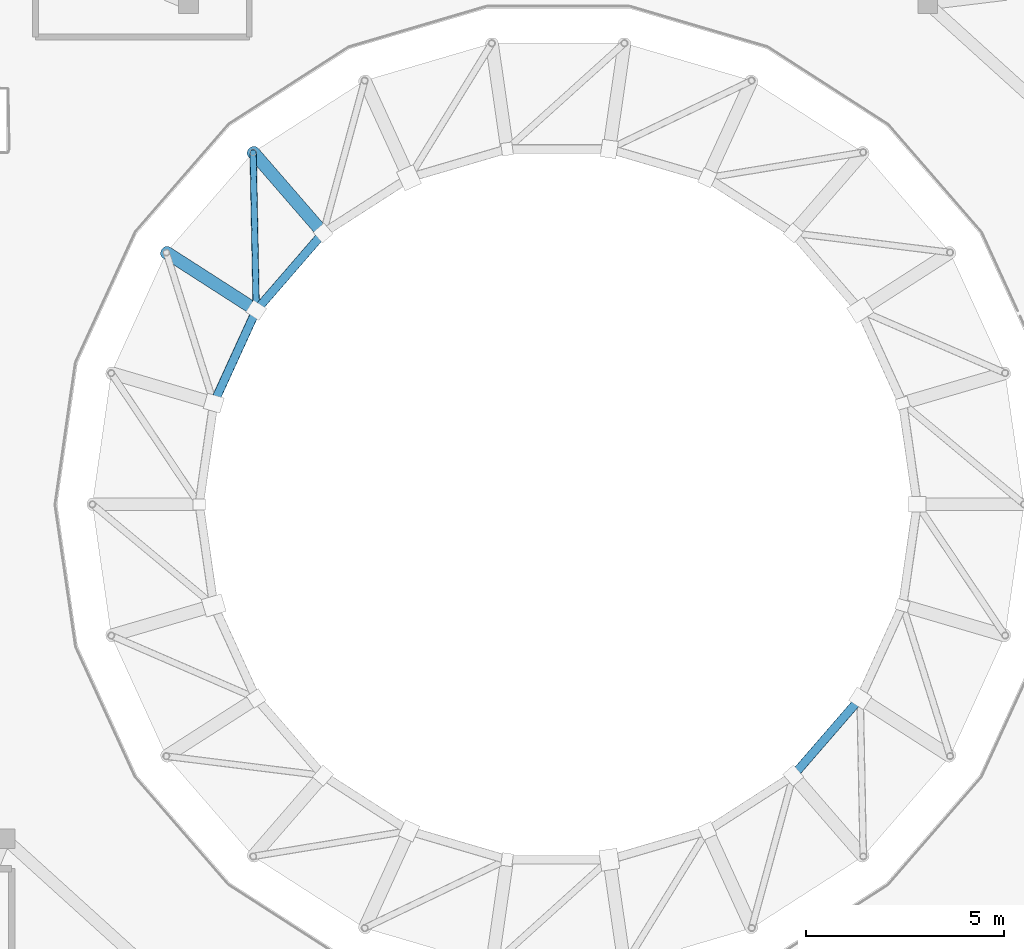
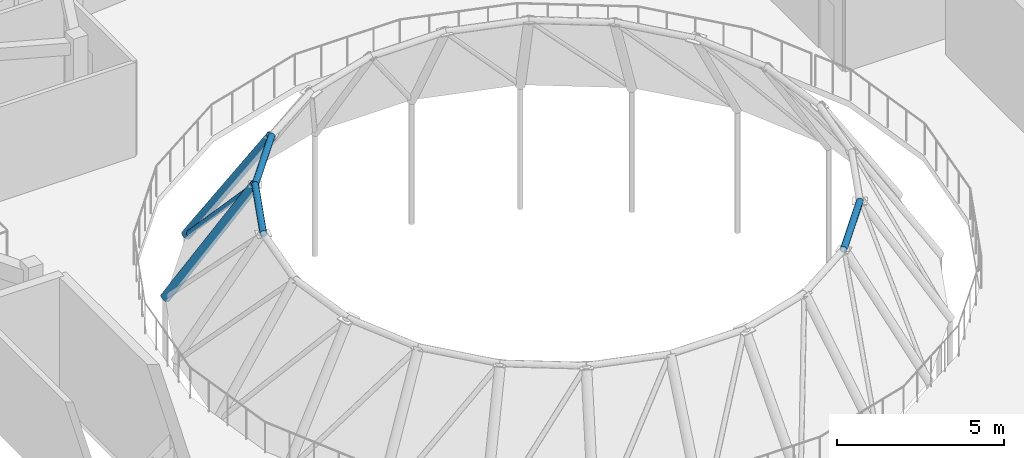
# One storey, part 12 of 38: 5 beams, 1 member.
"""IFC4 building model written with IfcOpenShell, lengths in metres."""

import ifcopenshell
import ifcopenshell.guid

model = None  # the IFC model being written
_history = None  # IfcOwnerHistory: only IFC2X3 demands one
_inside = {}  # id of a spatial element -> (the spatial element, [elements in it])
_under = {}  # id of a project, library or spatial element -> (it, [spatial elements below it])
_declared = {}  # id of a project -> (the project, [libraries it declares])
_typed = {}  # id of a type object -> (the type object, [elements of that type])
_made_of = {}  # id of a material, layer set ... -> (it, [elements and type objects made of it])


def new_model(schema):
    """Start an empty IFC model of exactly this schema.

    Asked for "IFC4X3", IfcOpenShell would pick the latest addendum, in which some entities
    have other attributes; the version numbers below select the first issue.
    IFC2X3 requires an IfcOwnerHistory on every rooted entity: one is made here for all.
    """
    global model, _history
    if schema == "IFC4X3":
        model = ifcopenshell.file(schema_version=(4, 3, 0, 0))
    else:
        model = ifcopenshell.file(schema=schema)
    _inside.clear()
    _under.clear()
    _declared.clear()
    _typed.clear()
    _made_of.clear()
    _history = None
    if model.schema == "IFC2X3":
        org = make("IfcOrganization", Name="unknown")
        user = make(
            "IfcPersonAndOrganization",
            ThePerson=make("IfcPerson", FamilyName="unknown"),
            TheOrganization=org,
        )
        app = make(
            "IfcApplication",
            ApplicationDeveloper=org,
            Version="unknown",
            ApplicationFullName="unknown",
            ApplicationIdentifier="unknown",
        )
        _history = make(
            "IfcOwnerHistory",
            OwningUser=user,
            OwningApplication=app,
            ChangeAction="ADDED",
            CreationDate=0,
        )
    return model


def make(cls, **values):
    """One entity of the class cls with the attributes given. An attribute that is None is left unset."""
    return model.create_entity(
        cls, **{name: value for name, value in values.items() if value is not None}
    )


def rooted(cls, **values):
    """An entity with a GlobalId (a new one), such as an element, a storey or a relation."""
    return make(cls, GlobalId=ifcopenshell.guid.new(), OwnerHistory=_history, **values)


def si_unit(unit_type, name, prefix=None):
    """IfcSIUnit, for example si_unit("LENGTHUNIT", "METRE", prefix="MILLI")."""
    return make("IfcSIUnit", UnitType=unit_type, Prefix=prefix, Name=name)


def assignment(units):
    """IfcUnitAssignment: the units of a project."""
    return None if units is None else make("IfcUnitAssignment", Units=units)


def point(xyz):
    """IfcCartesianPoint."""
    return None if xyz is None else make("IfcCartesianPoint", Coordinates=xyz)


def direction(xyz):
    """IfcDirection."""
    return None if xyz is None else make("IfcDirection", DirectionRatios=xyz)


def frame(location, z_axis=None, x_axis=None):
    """IfcAxis2Placement3D, a coordinate frame: its origin and axes. An axis left out is left unset."""
    return make(
        "IfcAxis2Placement3D",
        Location=point(location),
        Axis=direction(z_axis),
        RefDirection=direction(x_axis),
    )


def frame_2d(location, x_axis=None):
    """IfcAxis2Placement2D, a coordinate frame in the plane: its origin and x axis."""
    return make(
        "IfcAxis2Placement2D", Location=point(location), RefDirection=direction(x_axis)
    )


def origin():
    """The frame at (0, 0, 0) with its axes left unset."""
    return frame((0.0, 0.0, 0.0))


def origin_2d():
    """The frame at (0, 0) in the plane with its x axis left unset."""
    return frame_2d((0.0, 0.0))


def place(relative_to, where):
    """IfcLocalPlacement: puts the frame where relative to a parent placement (None: the world)."""
    return make(
        "IfcLocalPlacement", PlacementRelTo=relative_to, RelativePlacement=where
    )


def context(
    kind, dimensions, precision=None, world=None, true_north=None, identifier=None
):
    """IfcGeometricRepresentationContext, for example the 3D "Model" context."""
    return make(
        "IfcGeometricRepresentationContext",
        ContextIdentifier=identifier,
        ContextType=kind,
        CoordinateSpaceDimension=dimensions,
        Precision=precision,
        WorldCoordinateSystem=world,
        TrueNorth=true_north,
    )


def subcontext(parent, identifier, kind, view, scale=None):
    """IfcGeometricRepresentationSubContext, for example "Body" below "Model"."""
    return make(
        "IfcGeometricRepresentationSubContext",
        ContextIdentifier=identifier,
        ContextType=kind,
        ParentContext=parent,
        TargetScale=scale,
        TargetView=view,
    )


def project(units=None, contexts=None):
    """IfcProject with its units and contexts."""
    return rooted(
        "IfcProject",
        Name="project",
        RepresentationContexts=contexts,
        UnitsInContext=assignment(units),
    )


def spatial(cls, under=None, at=None, **own):
    """A site, building, storey or space (cls), placed at a placement, below another one or the project."""
    s = rooted(cls, ObjectPlacement=at, **own)
    if under is not None:
        _under.setdefault(under.id(), (under, []))[1].append(s)
    return s


def profile(cls, at=None, kind="AREA", **sizes):
    """A parametric profile (cls). Its sizes go by their IFC names, for example OverallWidth=200.0."""
    return make(cls, ProfileType=kind, Position=at, **sizes)


def hollow_circle(**sizes):
    """IfcCircleHollowProfileDef."""
    return profile("IfcCircleHollowProfileDef", **sizes)


def extrude(swept, where, along, depth):
    """IfcExtrudedAreaSolid: the profile swept, set in the frame where, extruded along a direction by depth."""
    return make(
        "IfcExtrudedAreaSolid",
        SweptArea=swept,
        Position=where,
        ExtrudedDirection=direction(along),
        Depth=depth,
    )


def shape(context_of_items, identifier, shape_type, items):
    """IfcShapeRepresentation: the items that make up one representation, for example the "Body"."""
    return make(
        "IfcShapeRepresentation",
        ContextOfItems=context_of_items,
        RepresentationIdentifier=identifier,
        RepresentationType=shape_type,
        Items=items,
    )


def material(Name=None, Category=None):
    """IfcMaterial."""
    return make("IfcMaterial", Name=Name, Category=Category)


def material_profile(
    of_material, cross_section, Name=None, Category=None, Priority=None
):
    """IfcMaterialProfile: a cross section and its material."""
    return make(
        "IfcMaterialProfile",
        Name=Name,
        Material=of_material,
        Profile=cross_section,
        Priority=Priority,
        Category=Category,
    )


def profile_set(profiles, Name=None, composite=None):
    """IfcMaterialProfileSet."""
    return make(
        "IfcMaterialProfileSet",
        Name=Name,
        MaterialProfiles=profiles,
        CompositeProfile=composite,
    )


def made_of(thing, what):
    """Note that an element or type object is made of a material, layer set ...; save() writes the relation."""
    if what is not None:
        _made_of.setdefault(what.id(), (what, []))[1].append(thing)
    return thing


def type_object(cls, material=None, **own):
    """A type object (cls), such as IfcWallType, which elements share."""
    return made_of(rooted(cls, **own), material)


def element(
    cls,
    number,
    at=None,
    inside=None,
    cuts=None,
    type_object=None,
    material=None,
    context=None,
    identifier="Body",
    shape_type=None,
    held_by="IfcProductDefinitionShape",
    body=None,
    shapes=None,
    **own,
):
    """One element of the class cls, such as IfcWall. Its Tag is "e" and its number.

    at: its placement. inside: the storey or other place that contains it. cuts: it is an
    opening in that element (IfcRelVoidsElement). A single representation is given by context,
    identifier, shape_type and body (its items); several are given by shapes. held_by: the class
    of the entity that holds the representations. save() writes the other relations.
    """
    e = rooted(cls, Tag="e%d" % number, ObjectPlacement=at, **own)
    if body is not None:
        shapes = [shape(context, identifier, shape_type, body)]
    if shapes is not None:
        e.Representation = make(held_by, Representations=shapes)
    if inside is not None:
        _inside.setdefault(inside.id(), (inside, []))[1].append(e)
    if cuts is not None:
        rooted(
            "IfcRelVoidsElement", RelatingBuildingElement=cuts, RelatedOpeningElement=e
        )
    if type_object is not None:
        _typed.setdefault(type_object.id(), (type_object, []))[1].append(e)
    return made_of(e, material)


def aggregate(whole, parts):
    """IfcRelAggregates: a whole, such as a stair, and the parts it consists of."""
    return rooted("IfcRelAggregates", RelatingObject=whole, RelatedObjects=parts)


def save(model, path):
    """Write the relations noted so far, then the file.

    IfcRelAggregates (storeys below a building ...), IfcRelContainedInSpatialStructure (elements
    in a storey), IfcRelDefinesByType, IfcRelAssociatesMaterial and IfcRelDeclares: one each for
    every whole, place, type object, material and project.
    """
    for whole, parts in _under.values():
        aggregate(whole, parts)
    for where, things in _inside.values():
        rooted(
            "IfcRelContainedInSpatialStructure",
            RelatedElements=things,
            RelatingStructure=where,
        )
    for kind, things in _typed.values():
        rooted("IfcRelDefinesByType", RelatedObjects=things, RelatingType=kind)
    for what, things in _made_of.values():
        rooted("IfcRelAssociatesMaterial", RelatedObjects=things, RelatingMaterial=what)
    for by, libraries in _declared.values():
        rooted("IfcRelDeclares", RelatingContext=by, RelatedDefinitions=libraries)
    model.write(path)


model = new_model("IFC4")

# Units and contexts
model_context = context("Model", 3, precision=1e-05, world=origin(), true_north=direction((0.0, 1.0)))
body_context = subcontext(model_context, "Body", "Model", "MODEL_VIEW")
ifc_project = project(units=[si_unit("LENGTHUNIT", "METRE"), si_unit("AREAUNIT", "SQUARE_METRE"), si_unit("VOLUMEUNIT", "CUBIC_METRE"), si_unit("PLANEANGLEUNIT", "RADIAN"), si_unit("MASSUNIT", "GRAM", prefix="KILO")], contexts=[model_context])

# Site, building, storey
site_placement = place(None, origin())
site = spatial("IfcSite", under=ifc_project, at=site_placement, CompositionType="ELEMENT")
building_placement = place(site_placement, origin())
building = spatial("IfcBuilding", under=site, at=building_placement, Name="Pelvatis Terrace Science Centre", CompositionType="ELEMENT")
storey_placement = place(building_placement, frame((0.0, 0.0, 24.300048828125)))
storey = spatial("IfcBuildingStorey", under=building, at=storey_placement, Name="L05", CompositionType="ELEMENT", Elevation=24.300048828125)

# Beams
ifc_material_1 = material(Name="Structural steel S355", Category="steel")
ifc_material_profile_1 = material_profile(ifc_material_1, hollow_circle(Radius=0.161865234375, WallThickness=0.012451171875, at=origin_2d()), Name="CHS 323.9x12.5")
ifc_profile_set_1 = profile_set([ifc_material_profile_1], Name="Structural steel S355")
beam_type_1 = type_object("IfcBeamType", Name="BM-DOME-CHS324", PredefinedType="BEAM", material=ifc_profile_set_1)
for number, where, z_axis, x_axis, name in (
    (1, (101.496826171875, 94.68994140625, -1.1845703125), (0.351867574956, -0.406049641809, 0.84339367918), (0.755727874833, 0.65488577569, 0.0), "Planetarium meridional dome rib 09.2"),
    (2, (99.30419921875, 92.15966796875, -1.1845703125), (0.452014625232, -0.290490585856, 0.843384845788), (0.540638743118, 0.841254865923, 0.0), "Planetarium meridional dome rib 10.2"),
):
    element("IfcBeam", number, at=place(storey_placement, frame(where, z_axis=z_axis, x_axis=x_axis)), inside=storey, type_object=beam_type_1, Name=name, PredefinedType="BEAM", context=body_context, shape_type="SweptSolid", body=[
        extrude(hollow_circle(Radius=0.161865234375, WallThickness=0.012451171875, at=origin_2d()), origin(), (0.0, 0.0, 1.0), 5.024169921875),
    ])
ifc_material_2 = material(Name="Structural steel S355", Category="steel")
ifc_material_profile_2 = material_profile(ifc_material_2, hollow_circle(Radius=0.109619140625, WallThickness=0.008056640625, at=origin_2d()), Name="CHS 219.1x8.0")
ifc_profile_set_2 = profile_set([ifc_material_profile_2], Name="Structural steel S355")
beam_type_2 = type_object("IfcBeamType", Name="BM-HOOP-CHS219", PredefinedType="BEAM", material=ifc_profile_set_2)
for number, where, z_axis, x_axis, name in (
    (3, (103.2646484375, 92.64990234375, 3.052734375), (-0.654865685453, -0.75574528382, 0.0), (0.75574528382, -0.654865685453, 0.0), "Planetarium dome hoop ring 3.09"),
    (4, (101.5751953125, 90.7001953125, 3.052734375), (-0.415442159138, -0.90961959764, 0.0), (0.90961959764, -0.415442159138, 0.0), "Planetarium dome hoop ring 3.10"),
    (5, (115.135498046875, 78.9501953125, 3.052734375), (0.654865685453, 0.75574528382, 0.0), (-0.75574528382, 0.654865685453, 0.0), "Planetarium dome hoop ring 3.20"),
):
    element("IfcBeam", number, at=place(storey_placement, frame(where, z_axis=z_axis, x_axis=x_axis)), inside=storey, type_object=beam_type_2, Name=name, PredefinedType="BEAM", context=body_context, shape_type="SweptSolid", body=[
        extrude(hollow_circle(Radius=0.109619140625, WallThickness=0.008056640625, at=origin_2d()), origin(), (0.0, 0.0, 1.0), 2.579833984375),
    ])

# Member
ifc_material_3 = material(Name="Structural steel S355", Category="steel")
ifc_material_profile_3 = material_profile(ifc_material_3, hollow_circle(Radius=0.084228515625, WallThickness=0.00634765625, at=origin_2d()), Name="CHS 168.3x6.3")
ifc_profile_set_3 = profile_set([ifc_material_profile_3], Name="Structural steel S355")
member_type = type_object("IfcMemberType", Name="MEM-BRC-CHS168", PredefinedType="BRACE", material=ifc_profile_set_3)
member_placement = place(storey_placement, frame((101.496826171875, 94.68994140625, -1.1845703125), z_axis=(0.013464183035, -0.685456944409, 0.727988662781), x_axis=(0.999807139182, 0.019638850305, 0.0)))
element("IfcMember", 6, at=member_placement, inside=storey, type_object=member_type, Name="Planetarium dome lateral brace 2.09", PredefinedType="BRACE", context=body_context, shape_type="SweptSolid", body=[
    extrude(hollow_circle(Radius=0.084228515625, WallThickness=0.00634765625, at=origin_2d()), origin(), (0.0, 0.0, 1.0), 5.820556640625),
])

save(model, "model.ifc")
